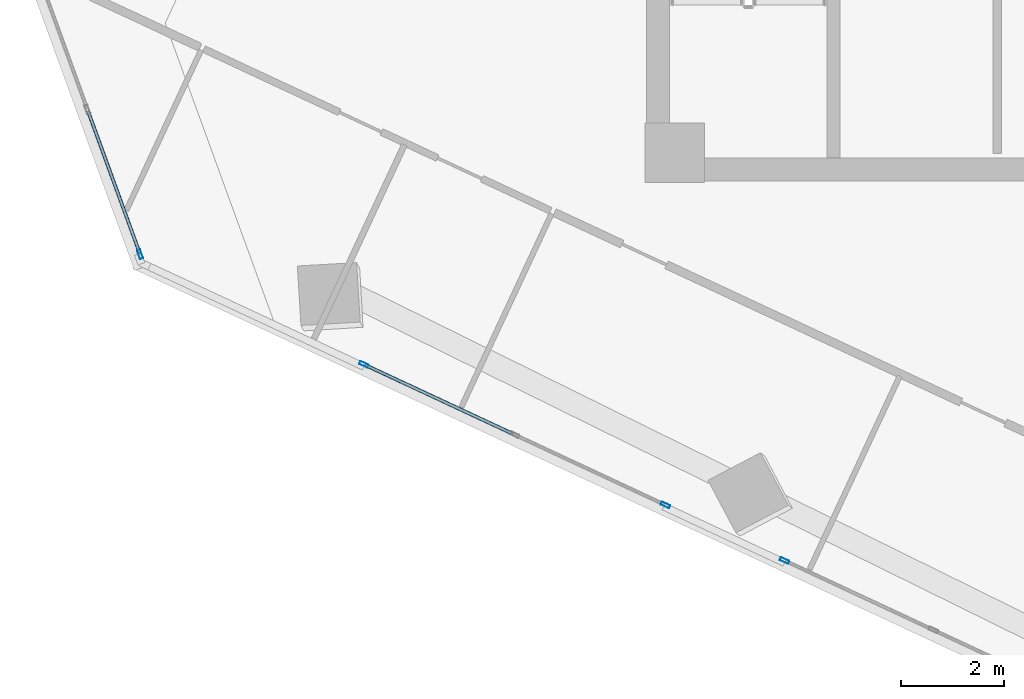
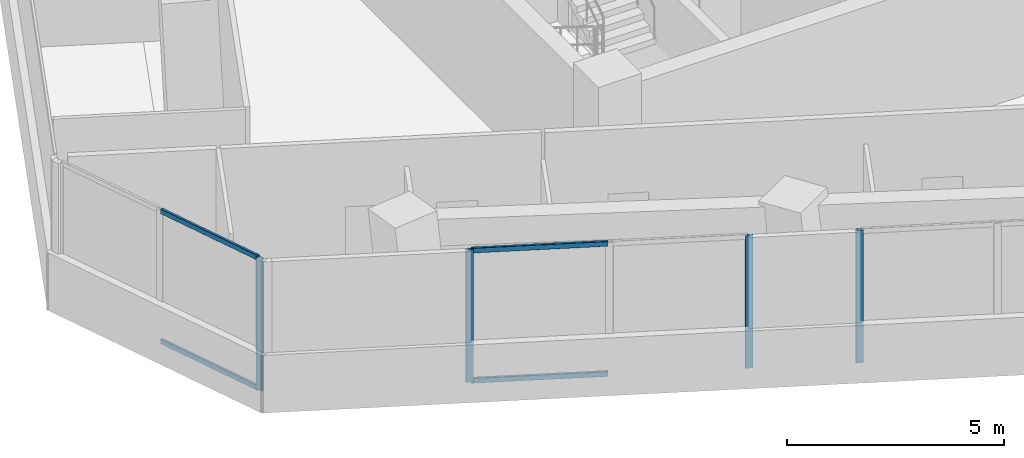
# One storey, part 2 of 23: 8 members, 3 elements without a shape of their own.
"""IFC4 building model written with IfcOpenShell, lengths in metres."""

from ifc_helpers import new_model, si_unit, direction, frame, origin, origin_2d, place, context, subcontext, project, spatial, hollow_rectangle, extrude, source, transform, mapped, material, material_profile, profile_set, type_object, element, aggregate, save


model = new_model("IFC4")

# Units and contexts
model_context = context("Model", 3, precision=1e-05, world=origin(), true_north=direction((0.0, 1.0)))
body_context = subcontext(model_context, "Body", "Model", "MODEL_VIEW")
ifc_project = project(units=[si_unit("LENGTHUNIT", "METRE"), si_unit("AREAUNIT", "SQUARE_METRE"), si_unit("VOLUMEUNIT", "CUBIC_METRE"), si_unit("PLANEANGLEUNIT", "RADIAN"), si_unit("MASSUNIT", "GRAM", prefix="KILO")], contexts=[model_context])

# Site, building, storey
site_placement = place(None, origin())
site = spatial("IfcSite", under=ifc_project, at=site_placement, CompositionType="ELEMENT")
building_placement = place(site_placement, origin())
building = spatial("IfcBuilding", under=site, at=building_placement, Name="Torre Montelarca", CompositionType="ELEMENT")
storey_placement = place(building_placement, frame((0.0, 0.0, 158.199951171875)))
storey = spatial("IfcBuildingStorey", under=building, at=storey_placement, Name="L35", CompositionType="ELEMENT", Elevation=158.199951171875)

# Curtain wall, members
ifc_material_1 = material(Name="Insulated low-E laminated glass", Category="glass")
curtain_wall_type = type_object("IfcCurtainWallType", Name="CW-SYS-Z2", PredefinedType="USERDEFINED", material=ifc_material_1)
curtain_wall_1_placement = place(storey_placement, origin())
curtain_wall_1 = element("IfcCurtainWall", 1, at=curtain_wall_1_placement, inside=storey, type_object=curtain_wall_type, Name="L35 Curtain Wall Run CW-T3-L35-E11-B1", ObjectType="UNITISED GLAZING", PredefinedType="USERDEFINED")
ifc_material_2 = material(Name="Anodised aluminium AA 6063-T6", Category="aluminium")
ifc_material_profile_1 = material_profile(ifc_material_2, hollow_rectangle(XDim=0.06494140625, YDim=0.139892578125, WallThickness=0.00390625, InnerFilletRadius=0.00390625, OuterFilletRadius=0.008056640625, at=origin_2d()), Name="ALU65X140X4", Category="aluminium")
ifc_profile_set_1 = profile_set([ifc_material_profile_1], Name="Anodised aluminium AA 6063-T6")
member_type_1 = type_object("IfcMemberType", Name="CWT-ALU140", PredefinedType="USERDEFINED", material=ifc_profile_set_1)
shared_shape_1 = source(origin(), body_context, "Body", "SweptSolid", [
    extrude(hollow_rectangle(XDim=0.06494140625, YDim=0.139892578125, WallThickness=0.00390625, InnerFilletRadius=0.00390625, OuterFilletRadius=0.008056640625, at=origin_2d()), origin(), (0.0, 0.0, 1.0), 2.918701171875),
])
member_1_placement = place(storey_placement, frame((-1.828857421875, 25.355712890625, 0.032470703125), z_axis=(0.342031842172, -0.939688362671, 0.0), x_axis=(0.939688362671, 0.342031842172, 0.0)))
member_1 = element("IfcMember", 2, at=member_1_placement, type_object=member_type_1, Name="CW transom 2.1", ObjectType="TRANSOM", PredefinedType="USERDEFINED", context=body_context, shape_type="MappedRepresentation", body=[
    mapped(shared_shape_1, transform((0.0, 0.0, 0.0), scale=1.0)),
])
member_2_placement = place(storey_placement, frame((-1.828857421875, 25.355712890625, 3.6875), z_axis=(0.342031842172, -0.939688362671, 0.0), x_axis=(0.939688362671, 0.342031842172, 0.0)))
member_2 = element("IfcMember", 3, at=member_2_placement, type_object=member_type_1, Name="CW transom 2.2", ObjectType="TRANSOM", PredefinedType="USERDEFINED", context=body_context, shape_type="MappedRepresentation", body=[
    mapped(shared_shape_1, transform((0.0, 0.0, 0.0), scale=1.0)),
])

curtain_wall_2_placement = place(storey_placement, origin())
curtain_wall_2 = element("IfcCurtainWall", 4, at=curtain_wall_2_placement, inside=storey, type_object=curtain_wall_type, Name="L35 Curtain Wall Run CW-T3-L35-E01-B1", ObjectType="UNITISED GLAZING", PredefinedType="USERDEFINED")
ifc_material_profile_2 = material_profile(ifc_material_2, hollow_rectangle(XDim=0.06494140625, YDim=0.179931640625, WallThickness=0.00390625, InnerFilletRadius=0.00390625, OuterFilletRadius=0.008056640625, at=origin_2d()), Name="ALU65X180X4", Category="aluminium")
ifc_profile_set_2 = profile_set([ifc_material_profile_2], Name="Anodised aluminium AA 6063-T6")
member_type_2 = type_object("IfcMemberType", Name="CWM-ALU180", PredefinedType="MULLION", material=ifc_profile_set_2)
shared_shape_2 = source(origin(), body_context, "Body", "SweptSolid", [
    extrude(hollow_rectangle(XDim=0.06494140625, YDim=0.179931640625, WallThickness=0.00390625, InnerFilletRadius=0.00390625, OuterFilletRadius=0.008056640625, at=origin_2d()), origin(), (0.0, 0.0, 1.0), 3.719970703125),
])
member_3_placement = place(storey_placement, frame((3.52001953125, 20.446044921875, 0.0), z_axis=(0.0, 0.0, 1.0), x_axis=(0.422613221295, 0.906310137418, 0.0)))
member_3 = element("IfcMember", 5, at=member_3_placement, type_object=member_type_2, Name="CW mullion 1", PredefinedType="MULLION", context=body_context, shape_type="MappedRepresentation", body=[
    mapped(shared_shape_2, transform((0.0, 0.0, 0.0), scale=1.0)),
])
member_4_placement = place(storey_placement, frame((9.366455078125, 17.719970703125, 0.0), z_axis=(0.0, 0.0, 1.0), x_axis=(0.422613221295, 0.906310137418, 0.0)))
member_4 = element("IfcMember", 6, at=member_4_placement, type_object=member_type_2, Name="CW mullion 3", PredefinedType="MULLION", context=body_context, shape_type="MappedRepresentation", body=[
    mapped(shared_shape_2, transform((0.0, 0.0, 0.0), scale=1.0)),
])

# Curtain wall, member
curtain_wall_3_placement = place(storey_placement, origin())
curtain_wall_3 = element("IfcCurtainWall", 7, at=curtain_wall_3_placement, inside=storey, type_object=curtain_wall_type, Name="L35 Curtain Wall Run CW-T3-L35-E01-B2", ObjectType="UNITISED GLAZING", PredefinedType="USERDEFINED")
member_5_placement = place(storey_placement, frame((11.6767578125, 16.642578125, 0.0), z_axis=(0.0, 0.0, 1.0), x_axis=(0.422605702085, 0.906313643594, 0.0)))
member_5 = element("IfcMember", 8, at=member_5_placement, type_object=member_type_2, Name="CW mullion 1", PredefinedType="MULLION", context=body_context, shape_type="MappedRepresentation", body=[
    mapped(shared_shape_2, transform((0.0, 0.0, 0.0), scale=1.0)),
])
aggregate(curtain_wall_3, [member_5])

# Member
member_6_placement = place(storey_placement, frame((-0.819580078125, 22.58251953125, 0.0), z_axis=(0.0, 0.0, 1.0), x_axis=(0.939694159282, 0.342015916313, 0.0)))
member_6 = element("IfcMember", 9, at=member_6_placement, type_object=member_type_2, Name="CW mullion 3", PredefinedType="MULLION", context=body_context, shape_type="MappedRepresentation", body=[
    mapped(shared_shape_2, transform((0.0, 0.0, 0.0), scale=1.0)),
])

aggregate(curtain_wall_1, [member_6, member_1, member_2])

shared_shape_3 = source(origin(), body_context, "Body", "SweptSolid", [
    extrude(hollow_rectangle(XDim=0.06494140625, YDim=0.139892578125, WallThickness=0.00390625, InnerFilletRadius=0.00390625, OuterFilletRadius=0.008056640625, at=origin_2d()), origin(), (0.0, 0.0, 1.0), 3.160400390625),
])
member_7_placement = place(storey_placement, frame((3.549560546875, 20.432373046875, 0.032470703125), z_axis=(0.906329133103, -0.422572481936, 0.0), x_axis=(0.422572481936, 0.906329133103, 0.0)))
member_7 = element("IfcMember", 10, at=member_7_placement, type_object=member_type_1, Name="CW transom 1.1", ObjectType="TRANSOM", PredefinedType="USERDEFINED", context=body_context, shape_type="MappedRepresentation", body=[
    mapped(shared_shape_3, transform((0.0, 0.0, 0.0), scale=1.0)),
])

member_8_placement = place(storey_placement, frame((3.549560546875, 20.432373046875, 3.6875), z_axis=(0.906329133103, -0.422572481936, 0.0), x_axis=(0.422572481936, 0.906329133103, 0.0)))
member_8 = element("IfcMember", 11, at=member_8_placement, type_object=member_type_1, Name="CW transom 1.2", ObjectType="TRANSOM", PredefinedType="USERDEFINED", context=body_context, shape_type="MappedRepresentation", body=[
    mapped(shared_shape_3, transform((0.0, 0.0, 0.0), scale=1.0)),
])

aggregate(curtain_wall_2, [member_3, member_4, member_7, member_8])

save(model, "model.ifc")
